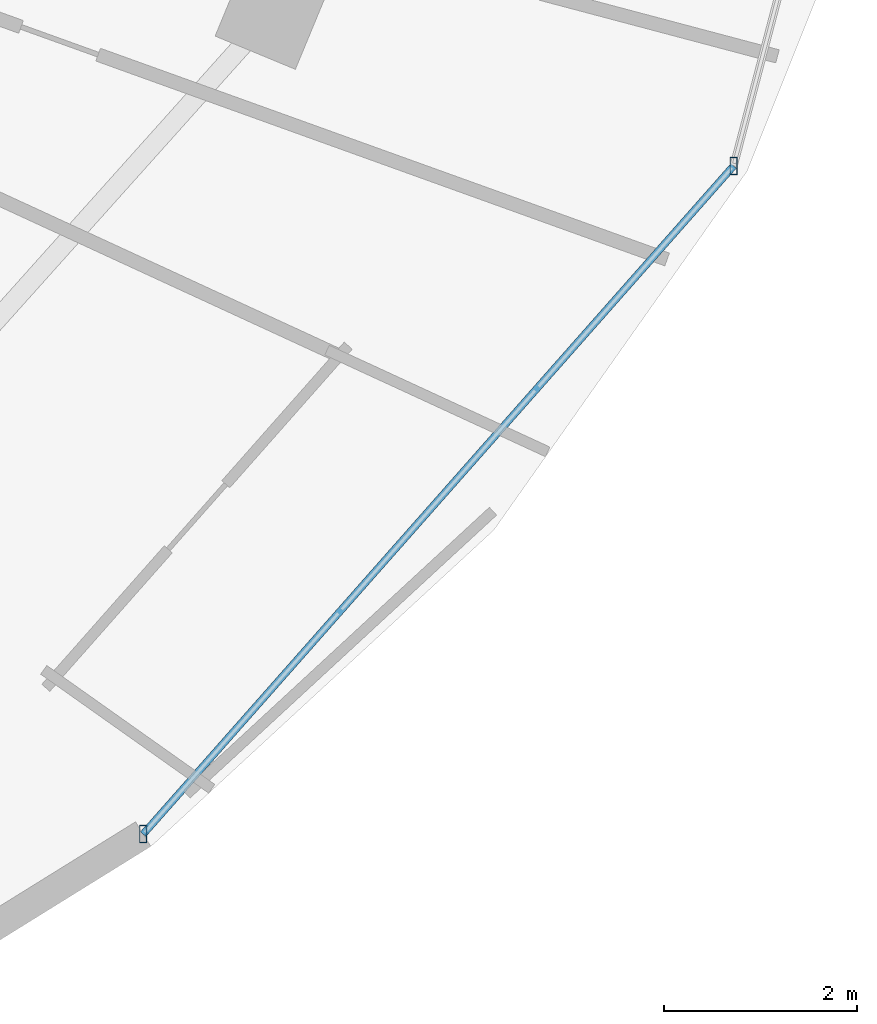
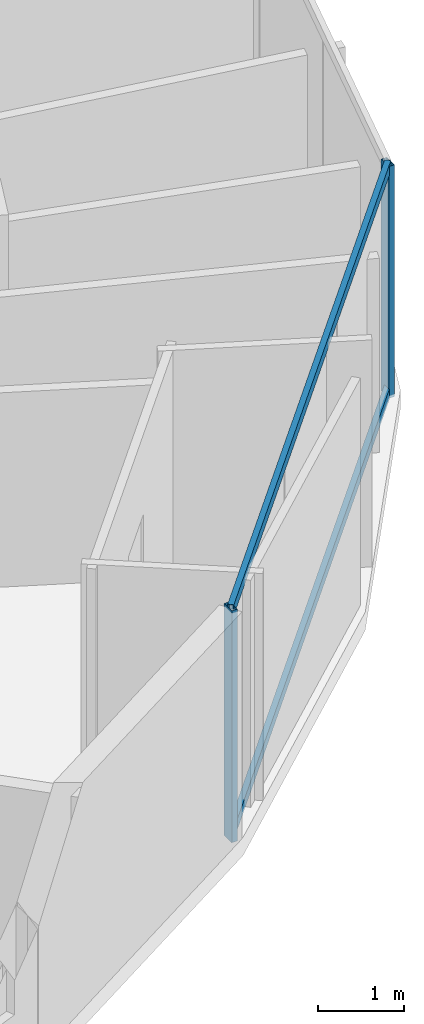
# One storey, part 13 of 33: 4 members, 1 element without a shape of its own.
"""IFC4 building model written with IfcOpenShell, lengths in metres."""

from ifc_helpers import new_model, si_unit, direction, frame, origin, origin_2d, place, context, subcontext, project, spatial, hollow_rectangle, extrude, material, material_profile, profile_set, type_object, element, aggregate, save


model = new_model("IFC4")

# Units and contexts
model_context = context("Model", 3, precision=1e-05, world=origin(), true_north=direction((0.0, 1.0)))
body_context = subcontext(model_context, "Body", "Model", "MODEL_VIEW")
ifc_project = project(units=[si_unit("LENGTHUNIT", "METRE"), si_unit("AREAUNIT", "SQUARE_METRE"), si_unit("VOLUMEUNIT", "CUBIC_METRE"), si_unit("PLANEANGLEUNIT", "RADIAN"), si_unit("MASSUNIT", "GRAM", prefix="KILO")], contexts=[model_context])

# Site, building, storey
site_placement = place(None, origin())
site = spatial("IfcSite", under=ifc_project, at=site_placement, CompositionType="ELEMENT")
building_placement = place(site_placement, origin())
building = spatial("IfcBuilding", under=site, at=building_placement, Name="Vorneva Point Tower", CompositionType="ELEMENT")
storey_placement = place(building_placement, frame((0.0, 0.0, 179.10009765625)))
storey = spatial("IfcBuildingStorey", under=building, at=storey_placement, Name="L48", CompositionType="ELEMENT", Elevation=179.10009765625)

# Curtain wall, members
ifc_material = material(Name="Pale anodised aluminium", Category="aluminium")
curtain_wall_type = type_object("IfcCurtainWallType", Name="CW-RES-SYS", PredefinedType="NOTDEFINED", material=ifc_material)
curtain_wall_placement = place(storey_placement, origin())
curtain_wall = element("IfcCurtainWall", 1, at=curtain_wall_placement, inside=storey, type_object=curtain_wall_type, Name="L48 Unitised Curtain Wall CW-L48-R04", PredefinedType="NOTDEFINED")
ifc_material_profile_1 = material_profile(ifc_material, hollow_rectangle(XDim=0.074951171875, YDim=0.179931640625, WallThickness=0.00390625, at=origin_2d()), Name="AL-MUL 180x75x4")
ifc_profile_set_1 = profile_set([ifc_material_profile_1], Name="Pale anodised aluminium")
member_type_1 = type_object("IfcMemberType", Name="CW-MUL-180", PredefinedType="MULLION", material=ifc_profile_set_1)
member_1_placement = place(storey_placement, frame((57.961669921875, 10.9033203125, -0.0400390625), z_axis=(0.0, 0.0, 1.0), x_axis=(1.0, 0.0, 0.0)))
member_1 = element("IfcMember", 2, at=member_1_placement, type_object=member_type_1, Name="CW-L48-R04 Mullion 01", PredefinedType="MULLION", context=body_context, shape_type="SweptSolid", body=[
    extrude(hollow_rectangle(XDim=0.074951171875, YDim=0.179931640625, WallThickness=0.00390625, at=origin_2d()), origin(), (0.0, 0.0, 1.0), 3.31005859375),
])
member_2_placement = place(storey_placement, frame((64.0810546875, 17.82958984375, -0.0400390625), z_axis=(0.0, 0.0, 1.0), x_axis=(1.0, 0.0, 0.0)))
member_2 = element("IfcMember", 3, at=member_2_placement, type_object=member_type_1, Name="CW-L48-R04 Mullion 02", PredefinedType="MULLION", context=body_context, shape_type="SweptSolid", body=[
    extrude(hollow_rectangle(XDim=0.074951171875, YDim=0.179931640625, WallThickness=0.00390625, at=origin_2d()), origin(), (0.0, 0.0, 1.0), 3.31005859375),
])
ifc_material_profile_2 = material_profile(ifc_material, hollow_rectangle(XDim=0.074951171875, YDim=0.14990234375, WallThickness=0.00390625, at=origin_2d()), Name="AL-TRN 150x75x4")
ifc_profile_set_2 = profile_set([ifc_material_profile_2], Name="Pale anodised aluminium")
member_type_2 = type_object("IfcMemberType", Name="CW-TRN-150", PredefinedType="USERDEFINED", material=ifc_profile_set_2)
member_3_placement = place(storey_placement, frame((57.961669921875, 10.9033203125, 0.02001953125), z_axis=(0.662106383869, 0.749409858782, 0.0), x_axis=(-0.749409858782, 0.662106383869, 0.0)))
member_3 = element("IfcMember", 4, at=member_3_placement, type_object=member_type_2, Name="CW-L48-R04 Transom 01.1", ObjectType="TRANSOM", PredefinedType="USERDEFINED", context=body_context, shape_type="SweptSolid", body=[
    extrude(hollow_rectangle(XDim=0.074951171875, YDim=0.14990234375, WallThickness=0.00390625, at=origin_2d()), origin(), (0.0, 0.0, 1.0), 9.2421875),
])
member_4_placement = place(storey_placement, frame((57.961669921875, 10.9033203125, 3.219970703125), z_axis=(0.662106383869, 0.749409858782, 0.0), x_axis=(-0.749409858782, 0.662106383869, 0.0)))
member_4 = element("IfcMember", 5, at=member_4_placement, type_object=member_type_2, Name="CW-L48-R04 Transom 01.2", ObjectType="TRANSOM", PredefinedType="USERDEFINED", context=body_context, shape_type="SweptSolid", body=[
    extrude(hollow_rectangle(XDim=0.074951171875, YDim=0.14990234375, WallThickness=0.00390625, at=origin_2d()), origin(), (0.0, 0.0, 1.0), 9.2421875),
])
aggregate(curtain_wall, [member_1, member_2, member_3, member_4])

save(model, "model.ifc")
